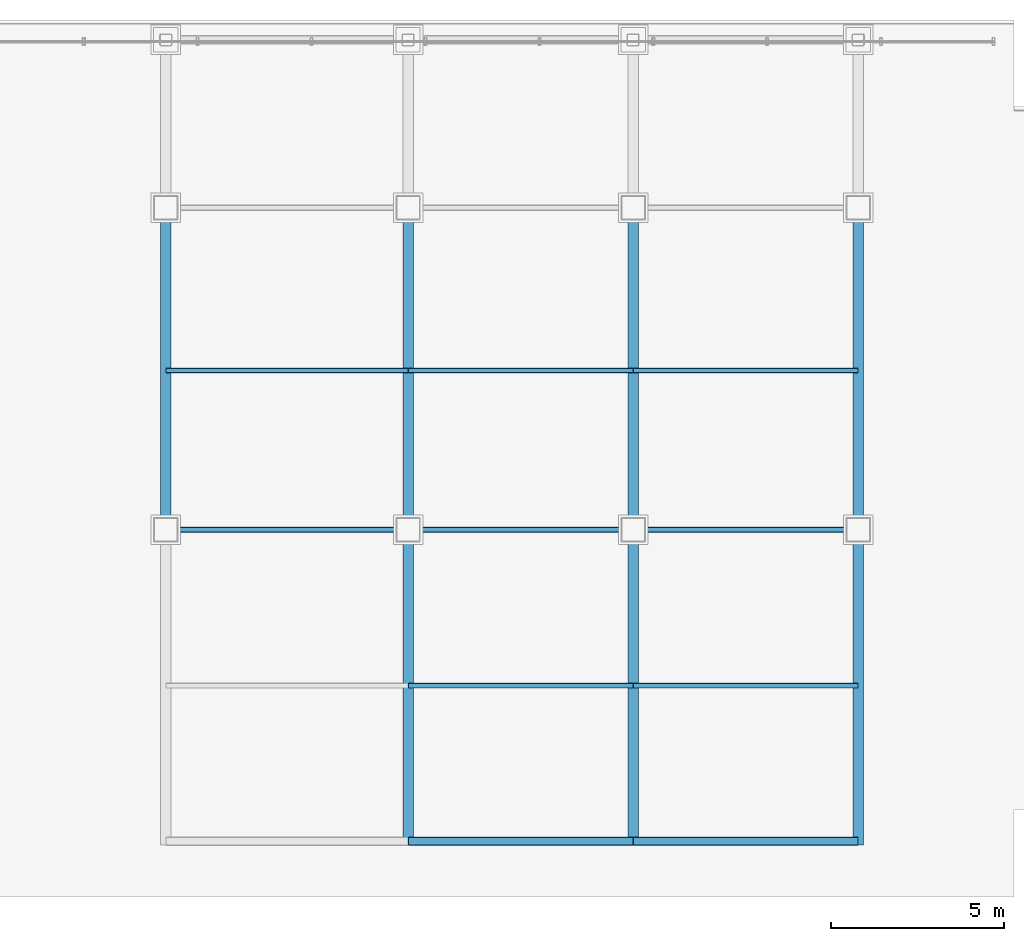
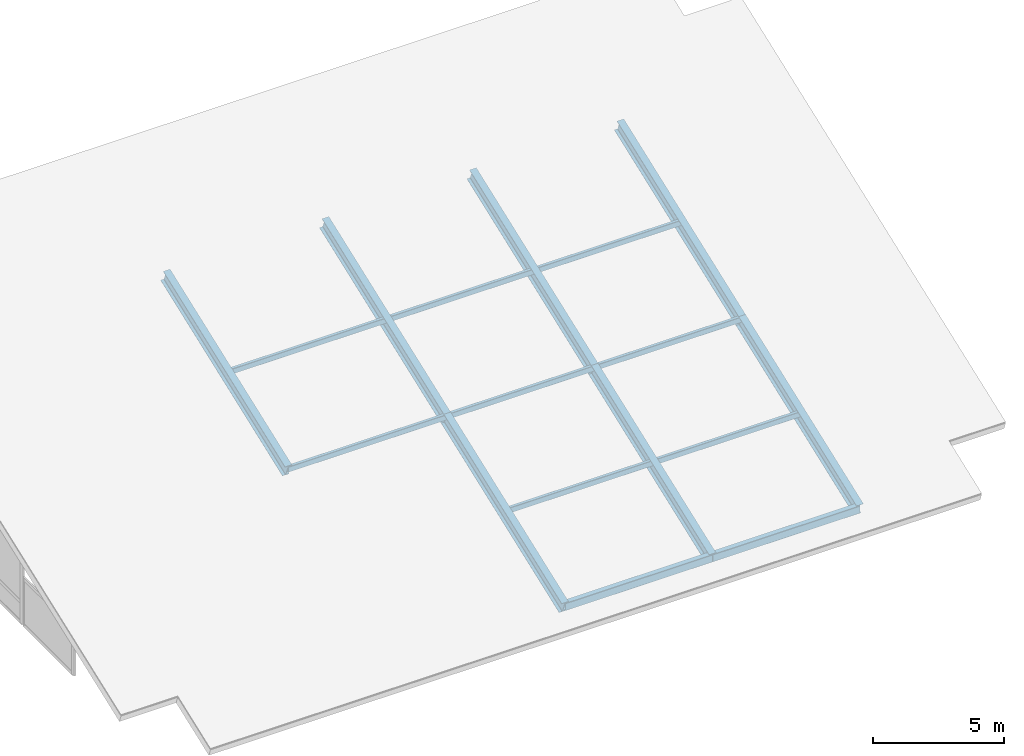
# One storey, part 5 of 12: 10 members, 7 beams.
"""IFC4 building model written with IfcOpenShell, lengths in metres."""

from ifc_helpers import new_model, si_unit, direction, frame, origin, origin_2d, place, context, subcontext, project, spatial, hollow_rectangle, i_section, extrude, material, material_profile, profile_set, type_object, element, save


model = new_model("IFC4")

# Units and contexts
model_context = context("Model", 3, precision=1e-05, world=origin(), true_north=direction((0.0, 1.0)))
body_context = subcontext(model_context, "Body", "Model", "MODEL_VIEW")
ifc_project = project(units=[si_unit("LENGTHUNIT", "METRE"), si_unit("AREAUNIT", "SQUARE_METRE"), si_unit("VOLUMEUNIT", "CUBIC_METRE"), si_unit("PLANEANGLEUNIT", "RADIAN"), si_unit("MASSUNIT", "GRAM", prefix="KILO")], contexts=[model_context])

# Site, building, storey
site_placement = place(None, origin())
site = spatial("IfcSite", under=ifc_project, at=site_placement, CompositionType="ELEMENT")
building_placement = place(site_placement, origin())
building = spatial("IfcBuilding", under=site, at=building_placement, Name="Noeulbin Bourse Tower", CompositionType="ELEMENT")
storey_placement = place(building_placement, frame((0.0, 0.0, 317.39990234375)))
storey = spatial("IfcBuildingStorey", under=building, at=storey_placement, Name="RF", CompositionType="ELEMENT", Elevation=317.39990234375)

# Beams
ifc_material = material(Name="Steel S355", Category="steel")
ifc_material_profile_1 = material_profile(ifc_material, i_section(OverallWidth=0.300048828125, OverallDepth=0.587890625, WebThickness=0.011962890625, FlangeThickness=0.02001953125, FilletRadius=0.02392578125, at=origin_2d()), Name="H-588x300x12x20", Category="LoadBearing")
ifc_profile_set_1 = profile_set([ifc_material_profile_1], Name="Steel S355")
beam_type = type_object("IfcBeamType", Name="BM-GRD-588", PredefinedType="USERDEFINED", material=ifc_profile_set_1)
beam_1_placement = place(storey_placement, frame((24.0, 29.0, 3.275634765625), z_axis=(0.0, 0.936667261659, 0.350220560413), x_axis=(-1.0, 0.0, 0.0)))
element("IfcBeam", 1, at=beam_1_placement, inside=storey, type_object=beam_type, Name="Sloped Crown Rafter G-588-01.2", ObjectType="GIRDER", PredefinedType="USERDEFINED", context=body_context, shape_type="SweptSolid", body=[
    extrude(i_section(OverallWidth=0.300048828125, OverallDepth=0.587890625, WebThickness=0.011962890625, FlangeThickness=0.02001953125, FilletRadius=0.02392578125, at=origin_2d()), origin(), (0.0, 0.0, 1.0), 9.928955078125),
])
beam_2_placement = place(storey_placement, frame((31.0, 20.0, -0.089111328125), z_axis=(0.0, 0.936679563984, 0.350187656001), x_axis=(-1.0, 0.0, 0.0)))
element("IfcBeam", 2, at=beam_2_placement, inside=storey, type_object=beam_type, Name="Sloped Crown Rafter G-588-02.1", ObjectType="GIRDER", PredefinedType="USERDEFINED", context=body_context, shape_type="SweptSolid", body=[
    extrude(i_section(OverallWidth=0.300048828125, OverallDepth=0.587890625, WebThickness=0.011962890625, FlangeThickness=0.02001953125, FilletRadius=0.02392578125, at=origin_2d()), origin(), (0.0, 0.0, 1.0), 9.6083984375),
])
beam_3_placement = place(storey_placement, frame((31.0, 29.0, 3.275634765625), z_axis=(0.0, 0.936667261659, 0.350220560413), x_axis=(-1.0, 0.0, 0.0)))
element("IfcBeam", 3, at=beam_3_placement, inside=storey, type_object=beam_type, Name="Sloped Crown Rafter G-588-02.2", ObjectType="GIRDER", PredefinedType="USERDEFINED", context=body_context, shape_type="SweptSolid", body=[
    extrude(i_section(OverallWidth=0.300048828125, OverallDepth=0.587890625, WebThickness=0.011962890625, FlangeThickness=0.02001953125, FilletRadius=0.02392578125, at=origin_2d()), origin(), (0.0, 0.0, 1.0), 9.928955078125),
])
beam_4_placement = place(storey_placement, frame((37.5, 20.0, -0.089111328125), z_axis=(0.0, 0.936679563984, 0.350187656001), x_axis=(-1.0, 0.0, 0.0)))
element("IfcBeam", 4, at=beam_4_placement, inside=storey, type_object=beam_type, Name="Sloped Crown Rafter G-588-03.1", ObjectType="GIRDER", PredefinedType="USERDEFINED", context=body_context, shape_type="SweptSolid", body=[
    extrude(i_section(OverallWidth=0.300048828125, OverallDepth=0.587890625, WebThickness=0.011962890625, FlangeThickness=0.02001953125, FilletRadius=0.02392578125, at=origin_2d()), origin(), (0.0, 0.0, 1.0), 9.6083984375),
])
beam_5_placement = place(storey_placement, frame((37.5, 29.0, 3.275634765625), z_axis=(0.0, 0.936667261659, 0.350220560413), x_axis=(-1.0, 0.0, 0.0)))
element("IfcBeam", 5, at=beam_5_placement, inside=storey, type_object=beam_type, Name="Sloped Crown Rafter G-588-03.2", ObjectType="GIRDER", PredefinedType="USERDEFINED", context=body_context, shape_type="SweptSolid", body=[
    extrude(i_section(OverallWidth=0.300048828125, OverallDepth=0.587890625, WebThickness=0.011962890625, FlangeThickness=0.02001953125, FilletRadius=0.02392578125, at=origin_2d()), origin(), (0.0, 0.0, 1.0), 9.928955078125),
])
beam_6_placement = place(storey_placement, frame((44.0, 20.0, -0.089111328125), z_axis=(0.0, 0.936679563984, 0.350187656001), x_axis=(-1.0, 0.0, 0.0)))
element("IfcBeam", 6, at=beam_6_placement, inside=storey, type_object=beam_type, Name="Sloped Crown Rafter G-588-04.1", ObjectType="GIRDER", PredefinedType="USERDEFINED", context=body_context, shape_type="SweptSolid", body=[
    extrude(i_section(OverallWidth=0.300048828125, OverallDepth=0.587890625, WebThickness=0.011962890625, FlangeThickness=0.02001953125, FilletRadius=0.02392578125, at=origin_2d()), origin(), (0.0, 0.0, 1.0), 9.6083984375),
])
beam_7_placement = place(storey_placement, frame((44.0, 29.0, 3.275634765625), z_axis=(0.0, 0.936667261659, 0.350220560413), x_axis=(-1.0, 0.0, 0.0)))
element("IfcBeam", 7, at=beam_7_placement, inside=storey, type_object=beam_type, Name="Sloped Crown Rafter G-588-04.2", ObjectType="GIRDER", PredefinedType="USERDEFINED", context=body_context, shape_type="SweptSolid", body=[
    extrude(i_section(OverallWidth=0.300048828125, OverallDepth=0.587890625, WebThickness=0.011962890625, FlangeThickness=0.02001953125, FilletRadius=0.02392578125, at=origin_2d()), origin(), (0.0, 0.0, 1.0), 9.928955078125),
])

# Members
ifc_material_profile_2 = material_profile(ifc_material, hollow_rectangle(XDim=0.14990234375, YDim=0.25, WallThickness=0.010009765625, InnerFilletRadius=0.010009765625, OuterFilletRadius=0.02001953125, at=origin_2d()), Name="RHS-250x150x10", Category="LoadBearing")
ifc_profile_set_2 = profile_set([ifc_material_profile_2], Name="Steel S355")
member_type_1 = type_object("IfcMemberType", Name="MEM-PRL-250", PredefinedType="PURLIN", material=ifc_profile_set_2)
for number, where, z_axis, x_axis, name in (
    (8, (31.010009765625, 24.5, 1.6572265625), (1.0, 0.0, 0.0), (0.0, 1.0, 0.0), "Crown Roof Purlin 2.2"),
    (9, (37.510009765625, 24.5, 1.6572265625), (1.0, 0.0, 0.0), (0.0, 1.0, 0.0), "Crown Roof Purlin 2.3"),
):
    element("IfcMember", number, at=place(storey_placement, frame(where, z_axis=z_axis, x_axis=x_axis)), inside=storey, type_object=member_type_1, Name=name, PredefinedType="PURLIN", context=body_context, shape_type="SweptSolid", body=[
        extrude(hollow_rectangle(XDim=0.14990234375, YDim=0.25, WallThickness=0.010009765625, InnerFilletRadius=0.010009765625, OuterFilletRadius=0.02001953125, at=origin_2d()), origin(), (0.0, 0.0, 1.0), 6.47998046875),
    ])
member_1_placement = place(storey_placement, frame((24.010009765625, 29.0, 3.339599609375), z_axis=(1.0, 0.0, 0.0), x_axis=(0.0, 1.0, 0.0)))
element("IfcMember", 10, at=member_1_placement, inside=storey, type_object=member_type_1, Name="Crown Roof Purlin 3.1", PredefinedType="PURLIN", context=body_context, shape_type="SweptSolid", body=[
    extrude(hollow_rectangle(XDim=0.14990234375, YDim=0.25, WallThickness=0.010009765625, InnerFilletRadius=0.010009765625, OuterFilletRadius=0.02001953125, at=origin_2d()), origin(), (0.0, 0.0, 1.0), 6.97998046875),
])
for number, where, z_axis, x_axis, name in (
    (11, (31.010009765625, 29.0, 3.339599609375), (1.0, 0.0, 0.0), (0.0, 1.0, 0.0), "Crown Roof Purlin 3.2"),
    (12, (37.510009765625, 29.0, 3.339599609375), (1.0, 0.0, 0.0), (0.0, 1.0, 0.0), "Crown Roof Purlin 3.3"),
):
    element("IfcMember", number, at=place(storey_placement, frame(where, z_axis=z_axis, x_axis=x_axis)), inside=storey, type_object=member_type_1, Name=name, PredefinedType="PURLIN", context=body_context, shape_type="SweptSolid", body=[
        extrude(hollow_rectangle(XDim=0.14990234375, YDim=0.25, WallThickness=0.010009765625, InnerFilletRadius=0.010009765625, OuterFilletRadius=0.02001953125, at=origin_2d()), origin(), (0.0, 0.0, 1.0), 6.47998046875),
    ])
member_2_placement = place(storey_placement, frame((24.010009765625, 33.60009765625, 5.0595703125), z_axis=(1.0, 0.0, 0.0), x_axis=(0.0, 1.0, 0.0)))
element("IfcMember", 13, at=member_2_placement, inside=storey, type_object=member_type_1, Name="Crown Roof Purlin 4.1", PredefinedType="PURLIN", context=body_context, shape_type="SweptSolid", body=[
    extrude(hollow_rectangle(XDim=0.14990234375, YDim=0.25, WallThickness=0.010009765625, InnerFilletRadius=0.010009765625, OuterFilletRadius=0.02001953125, at=origin_2d()), origin(), (0.0, 0.0, 1.0), 6.97998046875),
])
for number, where, z_axis, x_axis, name in (
    (14, (31.010009765625, 33.60009765625, 5.0595703125), (1.0, 0.0, 0.0), (0.0, 1.0, 0.0), "Crown Roof Purlin 4.2"),
    (15, (37.510009765625, 33.60009765625, 5.0595703125), (1.0, 0.0, 0.0), (0.0, 1.0, 0.0), "Crown Roof Purlin 4.3"),
):
    element("IfcMember", number, at=place(storey_placement, frame(where, z_axis=z_axis, x_axis=x_axis)), inside=storey, type_object=member_type_1, Name=name, PredefinedType="PURLIN", context=body_context, shape_type="SweptSolid", body=[
        extrude(hollow_rectangle(XDim=0.14990234375, YDim=0.25, WallThickness=0.010009765625, InnerFilletRadius=0.010009765625, OuterFilletRadius=0.02001953125, at=origin_2d()), origin(), (0.0, 0.0, 1.0), 6.47998046875),
    ])
ifc_material_profile_3 = material_profile(ifc_material, hollow_rectangle(XDim=0.25, YDim=0.35009765625, WallThickness=0.013916015625, InnerFilletRadius=0.013916015625, OuterFilletRadius=0.028076171875, at=origin_2d()), Name="RHS-350x250x14", Category="LoadBearing")
ifc_profile_set_3 = profile_set([ifc_material_profile_3], Name="Steel S355")
member_type_2 = type_object("IfcMemberType", Name="MEM-PRL-350", PredefinedType="PURLIN", material=ifc_profile_set_3)
for number, where, z_axis, x_axis, name in (
    (16, (31.010009765625, 20.0, -0.025390625), (1.0, 0.0, 0.0), (0.0, 1.0, 0.0), "Crown Roof Purlin 1.2"),
    (17, (37.510009765625, 20.0, -0.025390625), (1.0, 0.0, 0.0), (0.0, 1.0, 0.0), "Crown Roof Purlin 1.3"),
):
    element("IfcMember", number, at=place(storey_placement, frame(where, z_axis=z_axis, x_axis=x_axis)), inside=storey, type_object=member_type_2, Name=name, PredefinedType="PURLIN", context=body_context, shape_type="SweptSolid", body=[
        extrude(hollow_rectangle(XDim=0.25, YDim=0.35009765625, WallThickness=0.013916015625, InnerFilletRadius=0.013916015625, OuterFilletRadius=0.028076171875, at=origin_2d()), origin(), (0.0, 0.0, 1.0), 6.47998046875),
    ])

save(model, "model.ifc")
